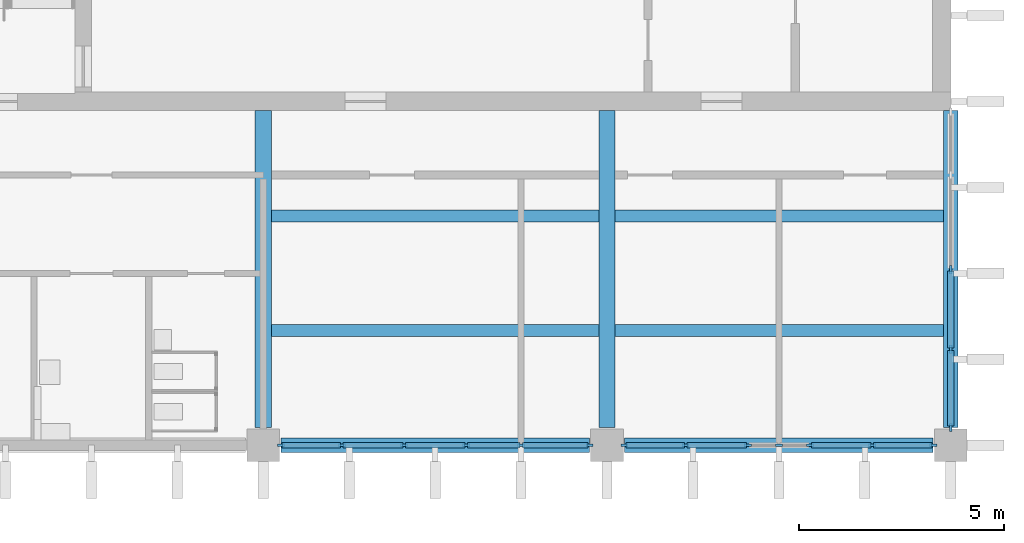
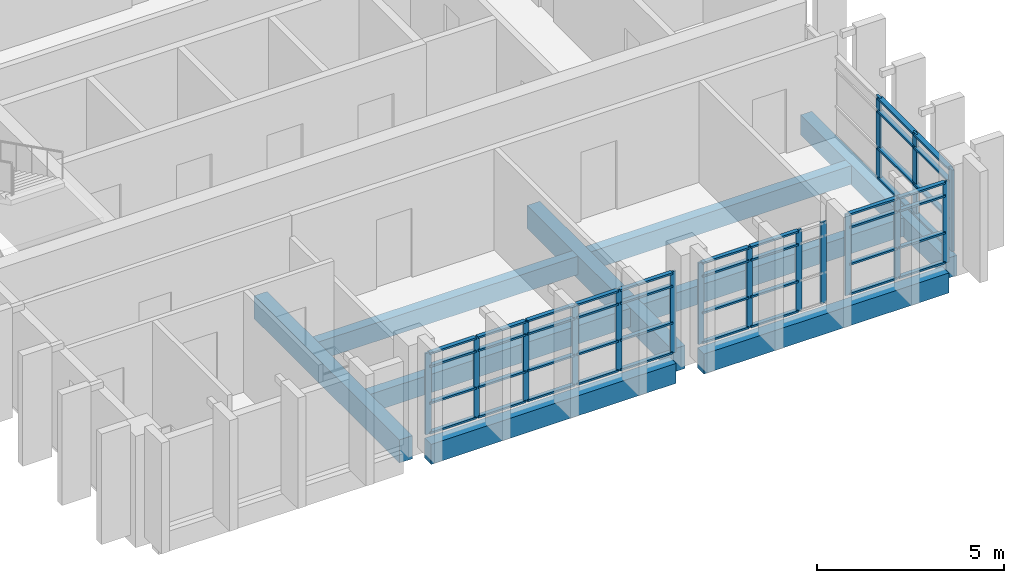
# One storey, part 2 of 11: 60 members, 9 beams, 3 elements without a shape of their own.
"""IFC4 building model written with IfcOpenShell, lengths in metres."""

from ifc_helpers import new_model, si_unit, direction, frame, origin, origin_2d, place, context, subcontext, project, spatial, rectangle, extrude, material, layer, layer_set, material_profile, profile_set, type_object, element, aggregate, save


model = new_model("IFC4")

# Units and contexts
model_context = context("Model", 3, precision=1e-05, world=origin(), true_north=direction((0.0, 1.0)))
body_context = subcontext(model_context, "Body", "Model", "MODEL_VIEW")
ifc_project = project(units=[si_unit("LENGTHUNIT", "METRE"), si_unit("AREAUNIT", "SQUARE_METRE"), si_unit("VOLUMEUNIT", "CUBIC_METRE"), si_unit("PLANEANGLEUNIT", "RADIAN"), si_unit("MASSUNIT", "GRAM", prefix="KILO")], contexts=[model_context])

# Site, building, storey
site_placement = place(None, origin())
site = spatial("IfcSite", under=ifc_project, at=site_placement, CompositionType="ELEMENT")
building_placement = place(site_placement, origin())
building = spatial("IfcBuilding", under=site, at=building_placement, Name="Rulbaag Community and Learning Centre", CompositionType="ELEMENT")
storey_placement = place(building_placement, frame((0.0, 0.0, 36.0)))
storey = spatial("IfcBuildingStorey", under=building, at=storey_placement, Name="L09", CompositionType="ELEMENT", Elevation=36.0)

# Beams
ifc_material_1 = material(Name="Concrete M40", Category="concrete")
ifc_material_profile_1 = material_profile(ifc_material_1, rectangle(XDim=0.35009765625, YDim=0.64990234375, at=origin_2d()), Name="RB350x650")
ifc_profile_set_1 = profile_set([ifc_material_profile_1], Name="Concrete M40")
beam_type_1 = type_object("IfcBeamType", Name="B14 Tower edge beam, upper zone 350x650 Concrete M40", PredefinedType="BEAM", material=ifc_profile_set_1)
for number, where, z_axis, x_axis, name in (
    (1, (151.6298828125, 84.0, -0.574951171875), (1.0, 0.0, 0.0), (0.0, 1.0, 0.0), "BM-L09-19K-20K"),
    (2, (160.030029296875, 84.0, -0.574951171875), (1.0, 0.0, 0.0), (0.0, 1.0, 0.0), "BM-L09-20K-21K"),
):
    element("IfcBeam", number, at=place(storey_placement, frame(where, z_axis=z_axis, x_axis=x_axis)), inside=storey, type_object=beam_type_1, Name=name, PredefinedType="BEAM", context=body_context, shape_type="SweptSolid", body=[
        extrude(rectangle(XDim=0.35009765625, YDim=0.64990234375, at=origin_2d()), origin(), (0.0, 0.0, 1.0), 7.5400390625),
    ])
beam_placement = place(storey_placement, frame((168.0, 84.429931640625, -0.574951171875), z_axis=(0.0, 1.0, 0.0), x_axis=(-1.0, 0.0, 0.0)))
element("IfcBeam", 3, at=beam_placement, inside=storey, type_object=beam_type_1, Name="BM-L09-21K-21L", PredefinedType="BEAM", context=body_context, shape_type="SweptSolid", body=[
    extrude(rectangle(XDim=0.35009765625, YDim=0.64990234375, at=origin_2d()), origin(), (0.0, 0.0, 1.0), 7.7451171875),
])
ifc_material_profile_2 = material_profile(ifc_material_1, rectangle(XDim=0.39990234375, YDim=0.75, at=origin_2d()), Name="RB400x750")
ifc_profile_set_2 = profile_set([ifc_material_profile_2], Name="Concrete M40")
beam_type_2 = type_object("IfcBeamType", Name="B15 Tower frame beam, middle zone 400x750 Concrete M40", PredefinedType="BEAM", material=ifc_profile_set_2)
for number, where, z_axis, x_axis, name in (
    (4, (151.199951171875, 84.429931640625, -0.625), (0.0, 1.0, 0.0), (-1.0, 0.0, 0.0), "BM-L09-19K-19L"),
    (5, (159.60009765625, 84.429931640625, -0.625), (0.0, 1.0, 0.0), (-1.0, 0.0, 0.0), "BM-L09-20K-20L"),
):
    element("IfcBeam", number, at=place(storey_placement, frame(where, z_axis=z_axis, x_axis=x_axis)), inside=storey, type_object=beam_type_2, Name=name, PredefinedType="BEAM", context=body_context, shape_type="SweptSolid", body=[
        extrude(rectangle(XDim=0.39990234375, YDim=0.75, at=origin_2d()), origin(), (0.0, 0.0, 1.0), 7.7451171875),
    ])
ifc_material_profile_3 = material_profile(ifc_material_1, rectangle(XDim=0.300048828125, YDim=0.60009765625, at=origin_2d()), Name="RB300x600")
ifc_profile_set_3 = profile_set([ifc_material_profile_3], Name="Concrete M40")
beam_type_3 = type_object("IfcBeamType", Name="B30 Secondary joist 300x600 Concrete M40", PredefinedType="BEAM", material=ifc_profile_set_3)
for number, where, z_axis, x_axis, name in (
    (6, (151.39990234375, 86.800048828125, -0.550048828125), (1.0, 0.0, 0.0), (0.0, 1.0, 0.0), "BM-JS-L09-19K-1"),
    (7, (151.39990234375, 89.60009765625, -0.550048828125), (1.0, 0.0, 0.0), (0.0, 1.0, 0.0), "BM-JS-L09-19K-2"),
):
    element("IfcBeam", number, at=place(storey_placement, frame(where, z_axis=z_axis, x_axis=x_axis)), inside=storey, type_object=beam_type_3, Name=name, PredefinedType="BEAM", context=body_context, shape_type="SweptSolid", body=[
        extrude(rectangle(XDim=0.300048828125, YDim=0.60009765625, at=origin_2d()), origin(), (0.0, 0.0, 1.0), 8.0),
    ])
for number, where, z_axis, x_axis, name in (
    (8, (159.800048828125, 86.800048828125, -0.550048828125), (1.0, 0.0, 0.0), (0.0, 1.0, 0.0), "BM-JS-L09-20K-1"),
    (9, (159.800048828125, 89.60009765625, -0.550048828125), (1.0, 0.0, 0.0), (0.0, 1.0, 0.0), "BM-JS-L09-20K-2"),
):
    element("IfcBeam", number, at=place(storey_placement, frame(where, z_axis=z_axis, x_axis=x_axis)), inside=storey, type_object=beam_type_3, Name=name, PredefinedType="BEAM", context=body_context, shape_type="SweptSolid", body=[
        extrude(rectangle(XDim=0.300048828125, YDim=0.60009765625, at=origin_2d()), origin(), (0.0, 0.0, 1.0), 8.02490234375),
    ])

# Curtain wall, members
ifc_material_2 = material(Name="Aluminium", Category="aluminium")
ifc_layer_1 = layer(ifc_material_2, 0.14990234375)
ifc_layer_set_1 = layer_set([ifc_layer_1], Name="CW-S")
curtain_wall_type_1 = type_object("IfcCurtainWallType", Name="CW-S", PredefinedType="USERDEFINED", material=ifc_layer_set_1)
curtain_wall_1_placement = place(storey_placement, origin())
curtain_wall_1 = element("IfcCurtainWall", 10, at=curtain_wall_1_placement, inside=storey, type_object=curtain_wall_type_1, Name="GS-L09-01", ObjectType="UNITISED CURTAIN WALL", PredefinedType="USERDEFINED")
ifc_material_3 = material(Name="Aluminium mullion", Category="aluminium")
ifc_material_profile_4 = material_profile(ifc_material_3, rectangle(XDim=0.06005859375, YDim=0.175048828125, at=origin_2d()), Name="AL 60x175")
ifc_profile_set_4 = profile_set([ifc_material_profile_4], Name="Aluminium mullion")
member_type_1 = type_object("IfcMemberType", Name="CW-S-MUL", PredefinedType="MULLION", material=ifc_profile_set_4)
member_1_placement = place(storey_placement, frame((151.6298828125, 84.0, 0.0), z_axis=(0.0, 0.0, 1.0), x_axis=(0.0, 1.0, 0.0)))
member_1 = element("IfcMember", 11, at=member_1_placement, type_object=member_type_1, Name="GS mullion 1", PredefinedType="MULLION", context=body_context, shape_type="SweptSolid", body=[
    extrude(rectangle(XDim=0.06005859375, YDim=0.175048828125, at=origin_2d()), origin(), (0.0, 0.0, 1.0), 2.64990234375),
])
member_2_placement = place(storey_placement, frame((153.1201171875, 84.0, 0.0), z_axis=(0.0, 0.0, 1.0), x_axis=(0.0, 1.0, 0.0)))
member_2 = element("IfcMember", 12, at=member_2_placement, type_object=member_type_1, Name="GS mullion 2", PredefinedType="MULLION", context=body_context, shape_type="SweptSolid", body=[
    extrude(rectangle(XDim=0.06005859375, YDim=0.175048828125, at=origin_2d()), origin(), (0.0, 0.0, 1.0), 2.64990234375),
])
member_3_placement = place(storey_placement, frame((154.639892578125, 84.0, 0.0), z_axis=(0.0, 0.0, 1.0), x_axis=(0.0, 1.0, 0.0)))
member_3 = element("IfcMember", 13, at=member_3_placement, type_object=member_type_1, Name="GS mullion 3", PredefinedType="MULLION", context=body_context, shape_type="SweptSolid", body=[
    extrude(rectangle(XDim=0.06005859375, YDim=0.175048828125, at=origin_2d()), origin(), (0.0, 0.0, 1.0), 2.64990234375),
])
member_4_placement = place(storey_placement, frame((156.159912109375, 84.0, 0.0), z_axis=(0.0, 0.0, 1.0), x_axis=(0.0, 1.0, 0.0)))
member_4 = element("IfcMember", 14, at=member_4_placement, type_object=member_type_1, Name="GS mullion 4", PredefinedType="MULLION", context=body_context, shape_type="SweptSolid", body=[
    extrude(rectangle(XDim=0.06005859375, YDim=0.175048828125, at=origin_2d()), origin(), (0.0, 0.0, 1.0), 2.64990234375),
])
member_5_placement = place(storey_placement, frame((157.5, 84.0, 0.0), z_axis=(0.0, 0.0, 1.0), x_axis=(0.0, 1.0, 0.0)))
member_5 = element("IfcMember", 15, at=member_5_placement, type_object=member_type_1, Name="GS mullion 5", PredefinedType="MULLION", context=body_context, shape_type="SweptSolid", body=[
    extrude(rectangle(XDim=0.06005859375, YDim=0.175048828125, at=origin_2d()), origin(), (0.0, 0.0, 1.0), 2.64990234375),
])
member_6_placement = place(storey_placement, frame((159.169921875, 84.0, 0.0), z_axis=(0.0, 0.0, 1.0), x_axis=(0.0, 1.0, 0.0)))
member_6 = element("IfcMember", 16, at=member_6_placement, type_object=member_type_1, Name="GS mullion 6", PredefinedType="MULLION", context=body_context, shape_type="SweptSolid", body=[
    extrude(rectangle(XDim=0.06005859375, YDim=0.175048828125, at=origin_2d()), origin(), (0.0, 0.0, 1.0), 2.64990234375),
])

curtain_wall_2_placement = place(storey_placement, origin())
curtain_wall_2 = element("IfcCurtainWall", 17, at=curtain_wall_2_placement, inside=storey, type_object=curtain_wall_type_1, Name="GS-L09-02", ObjectType="UNITISED CURTAIN WALL", PredefinedType="USERDEFINED")
member_7_placement = place(storey_placement, frame((160.030029296875, 84.0, 0.0), z_axis=(0.0, 0.0, 1.0), x_axis=(0.0, 1.0, 0.0)))
member_7 = element("IfcMember", 18, at=member_7_placement, type_object=member_type_1, Name="GS mullion 1", PredefinedType="MULLION", context=body_context, shape_type="SweptSolid", body=[
    extrude(rectangle(XDim=0.06005859375, YDim=0.175048828125, at=origin_2d()), origin(), (0.0, 0.0, 1.0), 2.64990234375),
])
member_8_placement = place(storey_placement, frame((161.52001953125, 84.0, 0.0), z_axis=(0.0, 0.0, 1.0), x_axis=(0.0, 1.0, 0.0)))
member_8 = element("IfcMember", 19, at=member_8_placement, type_object=member_type_1, Name="GS mullion 2", PredefinedType="MULLION", context=body_context, shape_type="SweptSolid", body=[
    extrude(rectangle(XDim=0.06005859375, YDim=0.175048828125, at=origin_2d()), origin(), (0.0, 0.0, 1.0), 2.64990234375),
])
member_9_placement = place(storey_placement, frame((163.0400390625, 84.0, 0.0), z_axis=(0.0, 0.0, 1.0), x_axis=(0.0, 1.0, 0.0)))
member_9 = element("IfcMember", 20, at=member_9_placement, type_object=member_type_1, Name="GS mullion 3", PredefinedType="MULLION", context=body_context, shape_type="SweptSolid", body=[
    extrude(rectangle(XDim=0.06005859375, YDim=0.175048828125, at=origin_2d()), origin(), (0.0, 0.0, 1.0), 2.64990234375),
])
member_10_placement = place(storey_placement, frame((163.800048828125, 84.0, 0.0), z_axis=(0.0, 0.0, 1.0), x_axis=(0.0, 1.0, 0.0)))
member_10 = element("IfcMember", 21, at=member_10_placement, type_object=member_type_1, Name="GS mullion 4", PredefinedType="MULLION", context=body_context, shape_type="SweptSolid", body=[
    extrude(rectangle(XDim=0.06005859375, YDim=0.175048828125, at=origin_2d()), origin(), (0.0, 0.0, 1.0), 2.64990234375),
])
member_11_placement = place(storey_placement, frame((164.56005859375, 84.0, 0.0), z_axis=(0.0, 0.0, 1.0), x_axis=(0.0, 1.0, 0.0)))
member_11 = element("IfcMember", 22, at=member_11_placement, type_object=member_type_1, Name="GS mullion 5", PredefinedType="MULLION", context=body_context, shape_type="SweptSolid", body=[
    extrude(rectangle(XDim=0.06005859375, YDim=0.175048828125, at=origin_2d()), origin(), (0.0, 0.0, 1.0), 2.64990234375),
])
member_12_placement = place(storey_placement, frame((166.080078125, 84.0, 0.0), z_axis=(0.0, 0.0, 1.0), x_axis=(0.0, 1.0, 0.0)))
member_12 = element("IfcMember", 23, at=member_12_placement, type_object=member_type_1, Name="GS mullion 6", PredefinedType="MULLION", context=body_context, shape_type="SweptSolid", body=[
    extrude(rectangle(XDim=0.06005859375, YDim=0.175048828125, at=origin_2d()), origin(), (0.0, 0.0, 1.0), 2.64990234375),
])
member_13_placement = place(storey_placement, frame((167.570068359375, 84.0, 0.0), z_axis=(0.0, 0.0, 1.0), x_axis=(0.0, 1.0, 0.0)))
member_13 = element("IfcMember", 24, at=member_13_placement, type_object=member_type_1, Name="GS mullion 7", PredefinedType="MULLION", context=body_context, shape_type="SweptSolid", body=[
    extrude(rectangle(XDim=0.06005859375, YDim=0.175048828125, at=origin_2d()), origin(), (0.0, 0.0, 1.0), 2.64990234375),
])

# Member
ifc_material_4 = material(Name="Aluminium transom", Category="aluminium")
ifc_material_profile_5 = material_profile(ifc_material_4, rectangle(XDim=0.125, YDim=0.06005859375, at=origin_2d()), Name="AL 60x125 T")
ifc_profile_set_5 = profile_set([ifc_material_profile_5], Name="Aluminium transom")
member_type_2 = type_object("IfcMemberType", Name="CW-S-TRN", PredefinedType="USERDEFINED", material=ifc_profile_set_5)
member_14_placement = place(storey_placement, frame((151.659912109375, 84.0, 0.030029296875), z_axis=(1.0, 0.0, 0.0), x_axis=(0.0, 1.0, 0.0)))
member_14 = element("IfcMember", 25, at=member_14_placement, type_object=member_type_2, Name="GS transom 1.1", ObjectType="TRANSOM", PredefinedType="USERDEFINED", context=body_context, shape_type="SweptSolid", body=[
    extrude(rectangle(XDim=0.125, YDim=0.06005859375, at=origin_2d()), origin(), (0.0, 0.0, 1.0), 1.43017578125),
])

member_15_placement = place(storey_placement, frame((151.659912109375, 84.0, 1.0), z_axis=(1.0, 0.0, 0.0), x_axis=(0.0, 1.0, 0.0)))
member_15 = element("IfcMember", 26, at=member_15_placement, type_object=member_type_2, Name="GS transom 1.2", ObjectType="TRANSOM", PredefinedType="USERDEFINED", context=body_context, shape_type="SweptSolid", body=[
    extrude(rectangle(XDim=0.125, YDim=0.06005859375, at=origin_2d()), origin(), (0.0, 0.0, 1.0), 1.43017578125),
])

member_16_placement = place(storey_placement, frame((151.659912109375, 84.0, 2.199951171875), z_axis=(1.0, 0.0, 0.0), x_axis=(0.0, 1.0, 0.0)))
member_16 = element("IfcMember", 27, at=member_16_placement, type_object=member_type_2, Name="GS transom 1.3", ObjectType="TRANSOM", PredefinedType="USERDEFINED", context=body_context, shape_type="SweptSolid", body=[
    extrude(rectangle(XDim=0.125, YDim=0.06005859375, at=origin_2d()), origin(), (0.0, 0.0, 1.0), 1.43017578125),
])

member_17_placement = place(storey_placement, frame((151.659912109375, 84.0, 2.6201171875), z_axis=(1.0, 0.0, 0.0), x_axis=(0.0, 1.0, 0.0)))
member_17 = element("IfcMember", 28, at=member_17_placement, type_object=member_type_2, Name="GS transom 1.4", ObjectType="TRANSOM", PredefinedType="USERDEFINED", context=body_context, shape_type="SweptSolid", body=[
    extrude(rectangle(XDim=0.125, YDim=0.06005859375, at=origin_2d()), origin(), (0.0, 0.0, 1.0), 1.43017578125),
])

member_18_placement = place(storey_placement, frame((153.14990234375, 84.0, 0.030029296875), z_axis=(1.0, 0.0, 0.0), x_axis=(0.0, 1.0, 0.0)))
member_18 = element("IfcMember", 29, at=member_18_placement, type_object=member_type_2, Name="GS transom 2.1", ObjectType="TRANSOM", PredefinedType="USERDEFINED", context=body_context, shape_type="SweptSolid", body=[
    extrude(rectangle(XDim=0.125, YDim=0.06005859375, at=origin_2d()), origin(), (0.0, 0.0, 1.0), 1.460205078125),
])

member_19_placement = place(storey_placement, frame((153.14990234375, 84.0, 1.0), z_axis=(1.0, 0.0, 0.0), x_axis=(0.0, 1.0, 0.0)))
member_19 = element("IfcMember", 30, at=member_19_placement, type_object=member_type_2, Name="GS transom 2.2", ObjectType="TRANSOM", PredefinedType="USERDEFINED", context=body_context, shape_type="SweptSolid", body=[
    extrude(rectangle(XDim=0.125, YDim=0.06005859375, at=origin_2d()), origin(), (0.0, 0.0, 1.0), 1.460205078125),
])

member_20_placement = place(storey_placement, frame((153.14990234375, 84.0, 2.199951171875), z_axis=(1.0, 0.0, 0.0), x_axis=(0.0, 1.0, 0.0)))
member_20 = element("IfcMember", 31, at=member_20_placement, type_object=member_type_2, Name="GS transom 2.3", ObjectType="TRANSOM", PredefinedType="USERDEFINED", context=body_context, shape_type="SweptSolid", body=[
    extrude(rectangle(XDim=0.125, YDim=0.06005859375, at=origin_2d()), origin(), (0.0, 0.0, 1.0), 1.460205078125),
])

member_21_placement = place(storey_placement, frame((153.14990234375, 84.0, 2.6201171875), z_axis=(1.0, 0.0, 0.0), x_axis=(0.0, 1.0, 0.0)))
member_21 = element("IfcMember", 32, at=member_21_placement, type_object=member_type_2, Name="GS transom 2.4", ObjectType="TRANSOM", PredefinedType="USERDEFINED", context=body_context, shape_type="SweptSolid", body=[
    extrude(rectangle(XDim=0.125, YDim=0.06005859375, at=origin_2d()), origin(), (0.0, 0.0, 1.0), 1.460205078125),
])

member_22_placement = place(storey_placement, frame((154.669921875, 84.0, 0.030029296875), z_axis=(1.0, 0.0, 0.0), x_axis=(0.0, 1.0, 0.0)))
member_22 = element("IfcMember", 33, at=member_22_placement, type_object=member_type_2, Name="GS transom 3.1", ObjectType="TRANSOM", PredefinedType="USERDEFINED", context=body_context, shape_type="SweptSolid", body=[
    extrude(rectangle(XDim=0.125, YDim=0.06005859375, at=origin_2d()), origin(), (0.0, 0.0, 1.0), 1.4599609375),
])

member_23_placement = place(storey_placement, frame((154.669921875, 84.0, 1.0), z_axis=(1.0, 0.0, 0.0), x_axis=(0.0, 1.0, 0.0)))
member_23 = element("IfcMember", 34, at=member_23_placement, type_object=member_type_2, Name="GS transom 3.2", ObjectType="TRANSOM", PredefinedType="USERDEFINED", context=body_context, shape_type="SweptSolid", body=[
    extrude(rectangle(XDim=0.125, YDim=0.06005859375, at=origin_2d()), origin(), (0.0, 0.0, 1.0), 1.4599609375),
])

member_24_placement = place(storey_placement, frame((154.669921875, 84.0, 2.199951171875), z_axis=(1.0, 0.0, 0.0), x_axis=(0.0, 1.0, 0.0)))
member_24 = element("IfcMember", 35, at=member_24_placement, type_object=member_type_2, Name="GS transom 3.3", ObjectType="TRANSOM", PredefinedType="USERDEFINED", context=body_context, shape_type="SweptSolid", body=[
    extrude(rectangle(XDim=0.125, YDim=0.06005859375, at=origin_2d()), origin(), (0.0, 0.0, 1.0), 1.4599609375),
])

member_25_placement = place(storey_placement, frame((154.669921875, 84.0, 2.6201171875), z_axis=(1.0, 0.0, 0.0), x_axis=(0.0, 1.0, 0.0)))
member_25 = element("IfcMember", 36, at=member_25_placement, type_object=member_type_2, Name="GS transom 3.4", ObjectType="TRANSOM", PredefinedType="USERDEFINED", context=body_context, shape_type="SweptSolid", body=[
    extrude(rectangle(XDim=0.125, YDim=0.06005859375, at=origin_2d()), origin(), (0.0, 0.0, 1.0), 1.4599609375),
])

member_26_placement = place(storey_placement, frame((156.18994140625, 84.0, 0.030029296875), z_axis=(1.0, 0.0, 0.0), x_axis=(0.0, 1.0, 0.0)))
member_26 = element("IfcMember", 37, at=member_26_placement, type_object=member_type_2, Name="GS transom 4.1", ObjectType="TRANSOM", PredefinedType="USERDEFINED", context=body_context, shape_type="SweptSolid", body=[
    extrude(rectangle(XDim=0.125, YDim=0.06005859375, at=origin_2d()), origin(), (0.0, 0.0, 1.0), 1.280029296875),
])

member_27_placement = place(storey_placement, frame((156.18994140625, 84.0, 1.0), z_axis=(1.0, 0.0, 0.0), x_axis=(0.0, 1.0, 0.0)))
member_27 = element("IfcMember", 38, at=member_27_placement, type_object=member_type_2, Name="GS transom 4.2", ObjectType="TRANSOM", PredefinedType="USERDEFINED", context=body_context, shape_type="SweptSolid", body=[
    extrude(rectangle(XDim=0.125, YDim=0.06005859375, at=origin_2d()), origin(), (0.0, 0.0, 1.0), 1.280029296875),
])

member_28_placement = place(storey_placement, frame((156.18994140625, 84.0, 2.199951171875), z_axis=(1.0, 0.0, 0.0), x_axis=(0.0, 1.0, 0.0)))
member_28 = element("IfcMember", 39, at=member_28_placement, type_object=member_type_2, Name="GS transom 4.3", ObjectType="TRANSOM", PredefinedType="USERDEFINED", context=body_context, shape_type="SweptSolid", body=[
    extrude(rectangle(XDim=0.125, YDim=0.06005859375, at=origin_2d()), origin(), (0.0, 0.0, 1.0), 1.280029296875),
])

member_29_placement = place(storey_placement, frame((156.18994140625, 84.0, 2.6201171875), z_axis=(1.0, 0.0, 0.0), x_axis=(0.0, 1.0, 0.0)))
member_29 = element("IfcMember", 40, at=member_29_placement, type_object=member_type_2, Name="GS transom 4.4", ObjectType="TRANSOM", PredefinedType="USERDEFINED", context=body_context, shape_type="SweptSolid", body=[
    extrude(rectangle(XDim=0.125, YDim=0.06005859375, at=origin_2d()), origin(), (0.0, 0.0, 1.0), 1.280029296875),
])

member_30_placement = place(storey_placement, frame((157.530029296875, 84.0, 0.030029296875), z_axis=(1.0, 0.0, 0.0), x_axis=(0.0, 1.0, 0.0)))
member_30 = element("IfcMember", 41, at=member_30_placement, type_object=member_type_2, Name="GS transom 5.1", ObjectType="TRANSOM", PredefinedType="USERDEFINED", context=body_context, shape_type="SweptSolid", body=[
    extrude(rectangle(XDim=0.125, YDim=0.06005859375, at=origin_2d()), origin(), (0.0, 0.0, 1.0), 1.60986328125),
])

member_31_placement = place(storey_placement, frame((157.530029296875, 84.0, 1.0), z_axis=(1.0, 0.0, 0.0), x_axis=(0.0, 1.0, 0.0)))
member_31 = element("IfcMember", 42, at=member_31_placement, type_object=member_type_2, Name="GS transom 5.2", ObjectType="TRANSOM", PredefinedType="USERDEFINED", context=body_context, shape_type="SweptSolid", body=[
    extrude(rectangle(XDim=0.125, YDim=0.06005859375, at=origin_2d()), origin(), (0.0, 0.0, 1.0), 1.60986328125),
])

member_32_placement = place(storey_placement, frame((157.530029296875, 84.0, 2.199951171875), z_axis=(1.0, 0.0, 0.0), x_axis=(0.0, 1.0, 0.0)))
member_32 = element("IfcMember", 43, at=member_32_placement, type_object=member_type_2, Name="GS transom 5.3", ObjectType="TRANSOM", PredefinedType="USERDEFINED", context=body_context, shape_type="SweptSolid", body=[
    extrude(rectangle(XDim=0.125, YDim=0.06005859375, at=origin_2d()), origin(), (0.0, 0.0, 1.0), 1.60986328125),
])

member_33_placement = place(storey_placement, frame((157.530029296875, 84.0, 2.6201171875), z_axis=(1.0, 0.0, 0.0), x_axis=(0.0, 1.0, 0.0)))
member_33 = element("IfcMember", 44, at=member_33_placement, type_object=member_type_2, Name="GS transom 5.4", ObjectType="TRANSOM", PredefinedType="USERDEFINED", context=body_context, shape_type="SweptSolid", body=[
    extrude(rectangle(XDim=0.125, YDim=0.06005859375, at=origin_2d()), origin(), (0.0, 0.0, 1.0), 1.60986328125),
])

aggregate(curtain_wall_1, [member_1, member_2, member_3, member_4, member_5, member_6, member_14, member_15, member_16, member_17, member_18, member_19, member_20, member_21, member_22, member_23, member_24, member_25, member_26, member_27, member_28, member_29, member_30, member_31, member_32, member_33])

member_34_placement = place(storey_placement, frame((160.06005859375, 84.0, 0.030029296875), z_axis=(1.0, 0.0, 0.0), x_axis=(0.0, 1.0, 0.0)))
member_34 = element("IfcMember", 45, at=member_34_placement, type_object=member_type_2, Name="GS transom 1.1", ObjectType="TRANSOM", PredefinedType="USERDEFINED", context=body_context, shape_type="SweptSolid", body=[
    extrude(rectangle(XDim=0.125, YDim=0.06005859375, at=origin_2d()), origin(), (0.0, 0.0, 1.0), 1.429931640625),
])

member_35_placement = place(storey_placement, frame((160.06005859375, 84.0, 1.0), z_axis=(1.0, 0.0, 0.0), x_axis=(0.0, 1.0, 0.0)))
member_35 = element("IfcMember", 46, at=member_35_placement, type_object=member_type_2, Name="GS transom 1.2", ObjectType="TRANSOM", PredefinedType="USERDEFINED", context=body_context, shape_type="SweptSolid", body=[
    extrude(rectangle(XDim=0.125, YDim=0.06005859375, at=origin_2d()), origin(), (0.0, 0.0, 1.0), 1.429931640625),
])

member_36_placement = place(storey_placement, frame((160.06005859375, 84.0, 2.199951171875), z_axis=(1.0, 0.0, 0.0), x_axis=(0.0, 1.0, 0.0)))
member_36 = element("IfcMember", 47, at=member_36_placement, type_object=member_type_2, Name="GS transom 1.3", ObjectType="TRANSOM", PredefinedType="USERDEFINED", context=body_context, shape_type="SweptSolid", body=[
    extrude(rectangle(XDim=0.125, YDim=0.06005859375, at=origin_2d()), origin(), (0.0, 0.0, 1.0), 1.429931640625),
])

member_37_placement = place(storey_placement, frame((160.06005859375, 84.0, 2.6201171875), z_axis=(1.0, 0.0, 0.0), x_axis=(0.0, 1.0, 0.0)))
member_37 = element("IfcMember", 48, at=member_37_placement, type_object=member_type_2, Name="GS transom 1.4", ObjectType="TRANSOM", PredefinedType="USERDEFINED", context=body_context, shape_type="SweptSolid", body=[
    extrude(rectangle(XDim=0.125, YDim=0.06005859375, at=origin_2d()), origin(), (0.0, 0.0, 1.0), 1.429931640625),
])

member_38_placement = place(storey_placement, frame((161.550048828125, 84.0, 0.030029296875), z_axis=(1.0, 0.0, 0.0), x_axis=(0.0, 1.0, 0.0)))
member_38 = element("IfcMember", 49, at=member_38_placement, type_object=member_type_2, Name="GS transom 2.1", ObjectType="TRANSOM", PredefinedType="USERDEFINED", context=body_context, shape_type="SweptSolid", body=[
    extrude(rectangle(XDim=0.125, YDim=0.06005859375, at=origin_2d()), origin(), (0.0, 0.0, 1.0), 1.4599609375),
])

member_39_placement = place(storey_placement, frame((161.550048828125, 84.0, 1.0), z_axis=(1.0, 0.0, 0.0), x_axis=(0.0, 1.0, 0.0)))
member_39 = element("IfcMember", 50, at=member_39_placement, type_object=member_type_2, Name="GS transom 2.2", ObjectType="TRANSOM", PredefinedType="USERDEFINED", context=body_context, shape_type="SweptSolid", body=[
    extrude(rectangle(XDim=0.125, YDim=0.06005859375, at=origin_2d()), origin(), (0.0, 0.0, 1.0), 1.4599609375),
])

member_40_placement = place(storey_placement, frame((161.550048828125, 84.0, 2.199951171875), z_axis=(1.0, 0.0, 0.0), x_axis=(0.0, 1.0, 0.0)))
member_40 = element("IfcMember", 51, at=member_40_placement, type_object=member_type_2, Name="GS transom 2.3", ObjectType="TRANSOM", PredefinedType="USERDEFINED", context=body_context, shape_type="SweptSolid", body=[
    extrude(rectangle(XDim=0.125, YDim=0.06005859375, at=origin_2d()), origin(), (0.0, 0.0, 1.0), 1.4599609375),
])

member_41_placement = place(storey_placement, frame((161.550048828125, 84.0, 2.6201171875), z_axis=(1.0, 0.0, 0.0), x_axis=(0.0, 1.0, 0.0)))
member_41 = element("IfcMember", 52, at=member_41_placement, type_object=member_type_2, Name="GS transom 2.4", ObjectType="TRANSOM", PredefinedType="USERDEFINED", context=body_context, shape_type="SweptSolid", body=[
    extrude(rectangle(XDim=0.125, YDim=0.06005859375, at=origin_2d()), origin(), (0.0, 0.0, 1.0), 1.4599609375),
])

member_42_placement = place(storey_placement, frame((164.590087890625, 84.0, 0.030029296875), z_axis=(1.0, 0.0, 0.0), x_axis=(0.0, 1.0, 0.0)))
member_42 = element("IfcMember", 53, at=member_42_placement, type_object=member_type_2, Name="GS transom 5.1", ObjectType="TRANSOM", PredefinedType="USERDEFINED", context=body_context, shape_type="SweptSolid", body=[
    extrude(rectangle(XDim=0.125, YDim=0.06005859375, at=origin_2d()), origin(), (0.0, 0.0, 1.0), 1.4599609375),
])

member_43_placement = place(storey_placement, frame((164.590087890625, 84.0, 1.0), z_axis=(1.0, 0.0, 0.0), x_axis=(0.0, 1.0, 0.0)))
member_43 = element("IfcMember", 54, at=member_43_placement, type_object=member_type_2, Name="GS transom 5.2", ObjectType="TRANSOM", PredefinedType="USERDEFINED", context=body_context, shape_type="SweptSolid", body=[
    extrude(rectangle(XDim=0.125, YDim=0.06005859375, at=origin_2d()), origin(), (0.0, 0.0, 1.0), 1.4599609375),
])

member_44_placement = place(storey_placement, frame((164.590087890625, 84.0, 2.199951171875), z_axis=(1.0, 0.0, 0.0), x_axis=(0.0, 1.0, 0.0)))
member_44 = element("IfcMember", 55, at=member_44_placement, type_object=member_type_2, Name="GS transom 5.3", ObjectType="TRANSOM", PredefinedType="USERDEFINED", context=body_context, shape_type="SweptSolid", body=[
    extrude(rectangle(XDim=0.125, YDim=0.06005859375, at=origin_2d()), origin(), (0.0, 0.0, 1.0), 1.4599609375),
])

member_45_placement = place(storey_placement, frame((164.590087890625, 84.0, 2.6201171875), z_axis=(1.0, 0.0, 0.0), x_axis=(0.0, 1.0, 0.0)))
member_45 = element("IfcMember", 56, at=member_45_placement, type_object=member_type_2, Name="GS transom 5.4", ObjectType="TRANSOM", PredefinedType="USERDEFINED", context=body_context, shape_type="SweptSolid", body=[
    extrude(rectangle(XDim=0.125, YDim=0.06005859375, at=origin_2d()), origin(), (0.0, 0.0, 1.0), 1.4599609375),
])

member_46_placement = place(storey_placement, frame((166.110107421875, 84.0, 0.030029296875), z_axis=(1.0, 0.0, 0.0), x_axis=(0.0, 1.0, 0.0)))
member_46 = element("IfcMember", 57, at=member_46_placement, type_object=member_type_2, Name="GS transom 6.1", ObjectType="TRANSOM", PredefinedType="USERDEFINED", context=body_context, shape_type="SweptSolid", body=[
    extrude(rectangle(XDim=0.125, YDim=0.06005859375, at=origin_2d()), origin(), (0.0, 0.0, 1.0), 1.429931640625),
])

member_47_placement = place(storey_placement, frame((166.110107421875, 84.0, 1.0), z_axis=(1.0, 0.0, 0.0), x_axis=(0.0, 1.0, 0.0)))
member_47 = element("IfcMember", 58, at=member_47_placement, type_object=member_type_2, Name="GS transom 6.2", ObjectType="TRANSOM", PredefinedType="USERDEFINED", context=body_context, shape_type="SweptSolid", body=[
    extrude(rectangle(XDim=0.125, YDim=0.06005859375, at=origin_2d()), origin(), (0.0, 0.0, 1.0), 1.429931640625),
])

member_48_placement = place(storey_placement, frame((166.110107421875, 84.0, 2.199951171875), z_axis=(1.0, 0.0, 0.0), x_axis=(0.0, 1.0, 0.0)))
member_48 = element("IfcMember", 59, at=member_48_placement, type_object=member_type_2, Name="GS transom 6.3", ObjectType="TRANSOM", PredefinedType="USERDEFINED", context=body_context, shape_type="SweptSolid", body=[
    extrude(rectangle(XDim=0.125, YDim=0.06005859375, at=origin_2d()), origin(), (0.0, 0.0, 1.0), 1.429931640625),
])

member_49_placement = place(storey_placement, frame((166.110107421875, 84.0, 2.6201171875), z_axis=(1.0, 0.0, 0.0), x_axis=(0.0, 1.0, 0.0)))
member_49 = element("IfcMember", 60, at=member_49_placement, type_object=member_type_2, Name="GS transom 6.4", ObjectType="TRANSOM", PredefinedType="USERDEFINED", context=body_context, shape_type="SweptSolid", body=[
    extrude(rectangle(XDim=0.125, YDim=0.06005859375, at=origin_2d()), origin(), (0.0, 0.0, 1.0), 1.429931640625),
])

aggregate(curtain_wall_2, [member_7, member_8, member_9, member_10, member_11, member_12, member_13, member_34, member_35, member_36, member_37, member_38, member_39, member_40, member_41, member_42, member_43, member_44, member_45, member_46, member_47, member_48, member_49])

# Curtain wall, members
ifc_layer_2 = layer(ifc_material_2, 0.14990234375)
ifc_layer_set_2 = layer_set([ifc_layer_2], Name="CW-T")
curtain_wall_type_2 = type_object("IfcCurtainWallType", Name="CW-T", PredefinedType="USERDEFINED", material=ifc_layer_set_2)
curtain_wall_3_placement = place(storey_placement, origin())
curtain_wall_3 = element("IfcCurtainWall", 61, at=curtain_wall_3_placement, inside=storey, type_object=curtain_wall_type_2, Name="GT-L09-05", ObjectType="UNITISED CURTAIN WALL", PredefinedType="USERDEFINED")
ifc_material_profile_6 = material_profile(ifc_material_3, rectangle(XDim=0.06494140625, YDim=0.199951171875, at=origin_2d()), Name="AL 65x200")
ifc_profile_set_6 = profile_set([ifc_material_profile_6], Name="Aluminium mullion")
member_type_3 = type_object("IfcMemberType", Name="CW-T-MUL", PredefinedType="MULLION", material=ifc_profile_set_6)
member_50_placement = place(storey_placement, frame((168.0, 84.4326171875, 0.0), z_axis=(0.0, 0.0, 1.0), x_axis=(-1.0, 0.0, 0.0)))
member_50 = element("IfcMember", 62, at=member_50_placement, type_object=member_type_3, Name="GT mullion 1", PredefinedType="MULLION", context=body_context, shape_type="SweptSolid", body=[
    extrude(rectangle(XDim=0.06494140625, YDim=0.199951171875, at=origin_2d()), origin(), (0.0, 0.0, 1.0), 2.64990234375),
])
member_51_placement = place(storey_placement, frame((168.0, 86.34375, 0.0), z_axis=(0.0, 0.0, 1.0), x_axis=(-1.0, 0.0, 0.0)))
member_51 = element("IfcMember", 63, at=member_51_placement, type_object=member_type_3, Name="GT mullion 2", PredefinedType="MULLION", context=body_context, shape_type="SweptSolid", body=[
    extrude(rectangle(XDim=0.06494140625, YDim=0.199951171875, at=origin_2d()), origin(), (0.0, 0.0, 1.0), 2.64990234375),
])
member_52_placement = place(storey_placement, frame((168.0, 88.28759765625, 0.0), z_axis=(0.0, 0.0, 1.0), x_axis=(-1.0, 0.0, 0.0)))
member_52 = element("IfcMember", 64, at=member_52_placement, type_object=member_type_3, Name="GT mullion 3", PredefinedType="MULLION", context=body_context, shape_type="SweptSolid", body=[
    extrude(rectangle(XDim=0.06494140625, YDim=0.199951171875, at=origin_2d()), origin(), (0.0, 0.0, 1.0), 2.64990234375),
])
ifc_material_profile_7 = material_profile(ifc_material_4, rectangle(XDim=0.14990234375, YDim=0.06494140625, at=origin_2d()), Name="AL 65x150 T")
ifc_profile_set_7 = profile_set([ifc_material_profile_7], Name="Aluminium transom")
member_type_4 = type_object("IfcMemberType", Name="CW-T-TRN", PredefinedType="USERDEFINED", material=ifc_profile_set_7)
member_53_placement = place(storey_placement, frame((168.0, 84.465087890625, 0.032470703125), z_axis=(0.0, 1.0, 0.0), x_axis=(-1.0, 0.0, 0.0)))
member_53 = element("IfcMember", 65, at=member_53_placement, type_object=member_type_4, Name="GT transom 1.1", ObjectType="TRANSOM", PredefinedType="USERDEFINED", context=body_context, shape_type="SweptSolid", body=[
    extrude(rectangle(XDim=0.14990234375, YDim=0.06494140625, at=origin_2d()), origin(), (0.0, 0.0, 1.0), 1.84619140625),
])
member_54_placement = place(storey_placement, frame((168.0, 84.465087890625, 1.0), z_axis=(0.0, 1.0, 0.0), x_axis=(-1.0, 0.0, 0.0)))
member_54 = element("IfcMember", 66, at=member_54_placement, type_object=member_type_4, Name="GT transom 1.2", ObjectType="TRANSOM", PredefinedType="USERDEFINED", context=body_context, shape_type="SweptSolid", body=[
    extrude(rectangle(XDim=0.14990234375, YDim=0.06494140625, at=origin_2d()), origin(), (0.0, 0.0, 1.0), 1.84619140625),
])
member_55_placement = place(storey_placement, frame((168.0, 84.465087890625, 2.199951171875), z_axis=(0.0, 1.0, 0.0), x_axis=(-1.0, 0.0, 0.0)))
member_55 = element("IfcMember", 67, at=member_55_placement, type_object=member_type_4, Name="GT transom 1.3", ObjectType="TRANSOM", PredefinedType="USERDEFINED", context=body_context, shape_type="SweptSolid", body=[
    extrude(rectangle(XDim=0.14990234375, YDim=0.06494140625, at=origin_2d()), origin(), (0.0, 0.0, 1.0), 1.84619140625),
])
member_56_placement = place(storey_placement, frame((168.0, 84.465087890625, 2.617431640625), z_axis=(0.0, 1.0, 0.0), x_axis=(-1.0, 0.0, 0.0)))
member_56 = element("IfcMember", 68, at=member_56_placement, type_object=member_type_4, Name="GT transom 1.4", ObjectType="TRANSOM", PredefinedType="USERDEFINED", context=body_context, shape_type="SweptSolid", body=[
    extrude(rectangle(XDim=0.14990234375, YDim=0.06494140625, at=origin_2d()), origin(), (0.0, 0.0, 1.0), 1.84619140625),
])
member_57_placement = place(storey_placement, frame((168.0, 86.376220703125, 0.032470703125), z_axis=(0.0, 1.0, 0.0), x_axis=(-1.0, 0.0, 0.0)))
member_57 = element("IfcMember", 69, at=member_57_placement, type_object=member_type_4, Name="GT transom 2.1", ObjectType="TRANSOM", PredefinedType="USERDEFINED", context=body_context, shape_type="SweptSolid", body=[
    extrude(rectangle(XDim=0.14990234375, YDim=0.06494140625, at=origin_2d()), origin(), (0.0, 0.0, 1.0), 1.878662109375),
])
member_58_placement = place(storey_placement, frame((168.0, 86.376220703125, 1.0), z_axis=(0.0, 1.0, 0.0), x_axis=(-1.0, 0.0, 0.0)))
member_58 = element("IfcMember", 70, at=member_58_placement, type_object=member_type_4, Name="GT transom 2.2", ObjectType="TRANSOM", PredefinedType="USERDEFINED", context=body_context, shape_type="SweptSolid", body=[
    extrude(rectangle(XDim=0.14990234375, YDim=0.06494140625, at=origin_2d()), origin(), (0.0, 0.0, 1.0), 1.878662109375),
])
member_59_placement = place(storey_placement, frame((168.0, 86.376220703125, 2.199951171875), z_axis=(0.0, 1.0, 0.0), x_axis=(-1.0, 0.0, 0.0)))
member_59 = element("IfcMember", 71, at=member_59_placement, type_object=member_type_4, Name="GT transom 2.3", ObjectType="TRANSOM", PredefinedType="USERDEFINED", context=body_context, shape_type="SweptSolid", body=[
    extrude(rectangle(XDim=0.14990234375, YDim=0.06494140625, at=origin_2d()), origin(), (0.0, 0.0, 1.0), 1.878662109375),
])
member_60_placement = place(storey_placement, frame((168.0, 86.376220703125, 2.617431640625), z_axis=(0.0, 1.0, 0.0), x_axis=(-1.0, 0.0, 0.0)))
member_60 = element("IfcMember", 72, at=member_60_placement, type_object=member_type_4, Name="GT transom 2.4", ObjectType="TRANSOM", PredefinedType="USERDEFINED", context=body_context, shape_type="SweptSolid", body=[
    extrude(rectangle(XDim=0.14990234375, YDim=0.06494140625, at=origin_2d()), origin(), (0.0, 0.0, 1.0), 1.878662109375),
])
aggregate(curtain_wall_3, [member_50, member_51, member_52, member_53, member_54, member_55, member_56, member_57, member_58, member_59, member_60])

save(model, "model.ifc")
